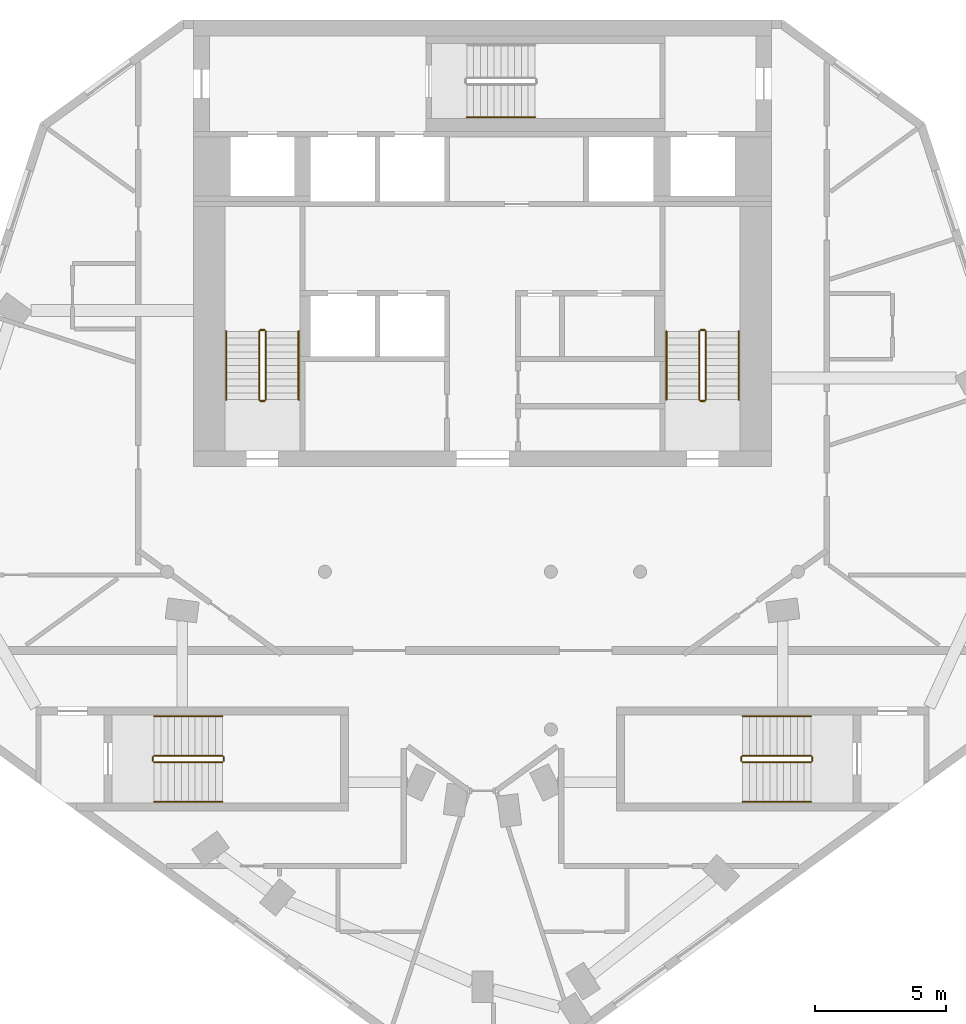
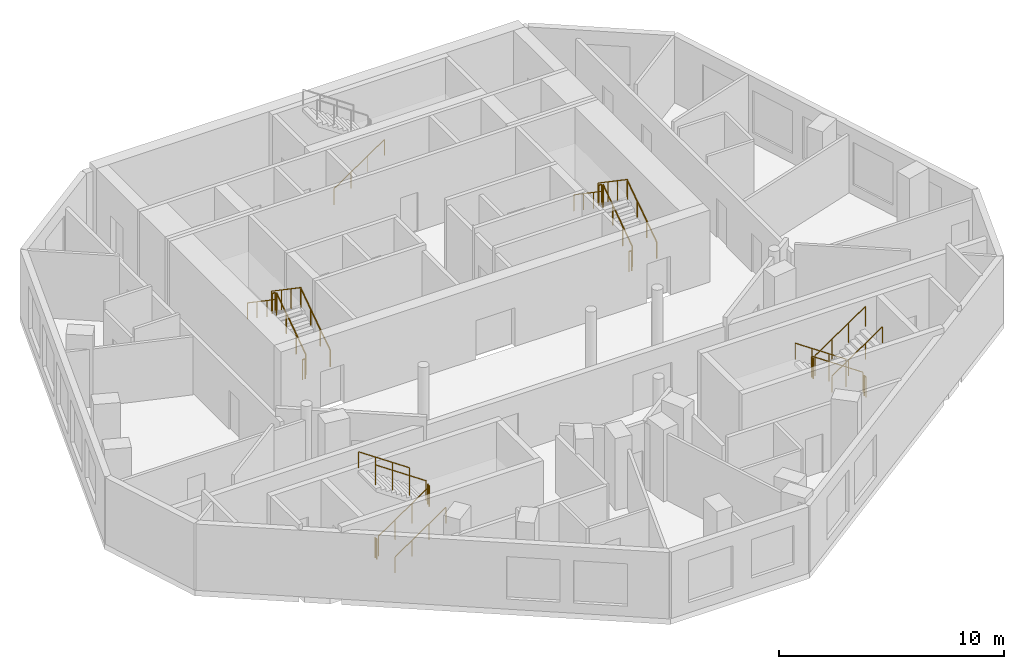
# One storey, part 7 of 8: 25 railings.
"""IFC4 building model written with IfcOpenShell, lengths in metres."""

from ifc_helpers import new_model, si_unit, direction, frame, origin, origin_2d, place, context, subcontext, project, spatial, circle, extrude, material, type_object, element, save


model = new_model("IFC4")

# Units and contexts
model_context = context("Model", 3, precision=1e-05, world=origin(), true_north=direction((0.0, 1.0)))
body_context = subcontext(model_context, "Body", "Model", "MODEL_VIEW")
ifc_project = project(units=[si_unit("LENGTHUNIT", "METRE"), si_unit("AREAUNIT", "SQUARE_METRE"), si_unit("VOLUMEUNIT", "CUBIC_METRE"), si_unit("PLANEANGLEUNIT", "RADIAN"), si_unit("MASSUNIT", "GRAM", prefix="KILO")], contexts=[model_context])

# Site, building, storey
site_placement = place(None, origin())
site = spatial("IfcSite", under=ifc_project, at=site_placement, CompositionType="ELEMENT")
building_placement = place(site_placement, origin())
building = spatial("IfcBuilding", under=site, at=building_placement, Name="White Candle Pilgrim Tower", CompositionType="ELEMENT")
storey_placement = place(building_placement, frame((0.0, 0.0, 310.0)))
storey = spatial("IfcBuildingStorey", under=building, at=storey_placement, Name="L73", CompositionType="ELEMENT", Elevation=310.0)

# Railings
ifc_material = material(Name="Stainless steel", Category="steel")
railing_type_1 = type_object("IfcRailingType", Name="Stair guard stainless steel 1100 mm", PredefinedType="GUARDRAIL", material=ifc_material)
railing_1_placement = place(storey_placement, frame((61.75, 73.550048828125, 0.17724609375)))
element("IfcRailing", 1, at=railing_1_placement, inside=storey, type_object=railing_type_1, Name="L73 ST1 stair guard 1", PredefinedType="GUARDRAIL", context=body_context, shape_type="SweptSolid", body=[
    extrude(circle(Radius=0.02392578125, at=origin_2d()), frame((0.0, 0.0, 1.076171875), z_axis=(0.0, 0.826215852431, 0.563353676824), x_axis=(-1.0, 0.0, 0.0)), (0.0, 0.0, 1.0), 3.146728515625),
    extrude(circle(Radius=0.02099609375, at=origin_2d()), origin(), (0.0, 0.0, 1.0), 1.052001953125),
    extrude(circle(Radius=0.02099609375, at=origin_2d()), frame((0.0, 0.86669921875, 0.5908203125)), (0.0, 0.0, 1.0), 1.052001953125),
    extrude(circle(Radius=0.02099609375, at=origin_2d()), frame((0.0, 1.733154296875, 1.181884765625)), (0.0, 0.0, 1.0), 1.052001953125),
    extrude(circle(Radius=0.02099609375, at=origin_2d()), frame((0.0, 2.599853515625, 1.772705078125)), (0.0, 0.0, 1.0), 1.052001953125),
])
railing_2_placement = place(storey_placement, frame((61.699951171875, 76.199951171875, 1.949951171875)))
element("IfcRailing", 2, at=railing_2_placement, inside=storey, type_object=railing_type_1, Name="L73 ST1 stair guard 2", PredefinedType="GUARDRAIL", context=body_context, shape_type="SweptSolid", body=[
    extrude(circle(Radius=0.02392578125, at=origin_2d()), frame((0.0, 0.0, 1.076171875), z_axis=(-1.0, 0.0, 0.0), x_axis=(0.0, -1.0, 0.0)), (0.0, 0.0, 1.0), 0.14990234375),
    extrude(circle(Radius=0.02099609375, at=origin_2d()), origin(), (0.0, 0.0, 1.0), 1.052001953125),
    extrude(circle(Radius=0.02099609375, at=origin_2d()), frame((-0.14990234375, 0.0, 0.0)), (0.0, 0.0, 1.0), 1.052001953125),
])
railing_3_placement = place(storey_placement, frame((61.5, 76.14990234375, 2.127197265625)))
element("IfcRailing", 3, at=railing_3_placement, inside=storey, type_object=railing_type_1, Name="L73 ST1 stair guard 3", PredefinedType="GUARDRAIL", context=body_context, shape_type="SweptSolid", body=[
    extrude(circle(Radius=0.02392578125, at=origin_2d()), frame((0.0, 0.0, 1.076171875), z_axis=(0.0, -0.826215852431, 0.563353676824), x_axis=(1.0, 0.0, 0.0)), (0.0, 0.0, 1.0), 3.146728515625),
    extrude(circle(Radius=0.02099609375, at=origin_2d()), origin(), (0.0, 0.0, 1.0), 1.052001953125),
    extrude(circle(Radius=0.02099609375, at=origin_2d()), frame((0.0, -0.86669921875, 0.5908203125)), (0.0, 0.0, 1.0), 1.052001953125),
    extrude(circle(Radius=0.02099609375, at=origin_2d()), frame((0.0, -1.733154296875, 1.181884765625)), (0.0, 0.0, 1.0), 1.052001953125),
    extrude(circle(Radius=0.02099609375, at=origin_2d()), frame((0.0, -2.599853515625, 1.772705078125)), (0.0, 0.0, 1.0), 1.052001953125),
])
railing_4_placement = place(storey_placement, frame((61.699951171875, 73.5, 0.0)))
element("IfcRailing", 4, at=railing_4_placement, inside=storey, type_object=railing_type_1, Name="L73 ST1 stair guard 4", PredefinedType="GUARDRAIL", context=body_context, shape_type="SweptSolid", body=[
    extrude(circle(Radius=0.02392578125, at=origin_2d()), frame((0.0, 0.0, 1.076171875), z_axis=(-1.0, 0.0, 0.0), x_axis=(0.0, -1.0, 0.0)), (0.0, 0.0, 1.0), 0.14990234375),
    extrude(circle(Radius=0.02099609375, at=origin_2d()), origin(), (0.0, 0.0, 1.0), 1.052001953125),
    extrude(circle(Radius=0.02099609375, at=origin_2d()), frame((-0.14990234375, 0.0, 0.0)), (0.0, 0.0, 1.0), 1.052001953125),
])
railing_5_placement = place(storey_placement, frame((78.5, 73.550048828125, 0.17724609375)))
element("IfcRailing", 5, at=railing_5_placement, inside=storey, type_object=railing_type_1, Name="L73 ST2 stair guard 1", PredefinedType="GUARDRAIL", context=body_context, shape_type="SweptSolid", body=[
    extrude(circle(Radius=0.02392578125, at=origin_2d()), frame((0.0, 0.0, 1.076171875), z_axis=(0.0, 0.826215852431, 0.563353676824), x_axis=(-1.0, 0.0, 0.0)), (0.0, 0.0, 1.0), 3.146728515625),
    extrude(circle(Radius=0.02099609375, at=origin_2d()), origin(), (0.0, 0.0, 1.0), 1.052001953125),
    extrude(circle(Radius=0.02099609375, at=origin_2d()), frame((0.0, 0.86669921875, 0.5908203125)), (0.0, 0.0, 1.0), 1.052001953125),
    extrude(circle(Radius=0.02099609375, at=origin_2d()), frame((0.0, 1.733154296875, 1.181884765625)), (0.0, 0.0, 1.0), 1.052001953125),
    extrude(circle(Radius=0.02099609375, at=origin_2d()), frame((0.0, 2.599853515625, 1.772705078125)), (0.0, 0.0, 1.0), 1.052001953125),
])
railing_6_placement = place(storey_placement, frame((78.449951171875, 76.199951171875, 1.949951171875)))
element("IfcRailing", 6, at=railing_6_placement, inside=storey, type_object=railing_type_1, Name="L73 ST2 stair guard 2", PredefinedType="GUARDRAIL", context=body_context, shape_type="SweptSolid", body=[
    extrude(circle(Radius=0.02392578125, at=origin_2d()), frame((0.0, 0.0, 1.076171875), z_axis=(-1.0, 0.0, 0.0), x_axis=(0.0, -1.0, 0.0)), (0.0, 0.0, 1.0), 0.14990234375),
    extrude(circle(Radius=0.02099609375, at=origin_2d()), origin(), (0.0, 0.0, 1.0), 1.052001953125),
    extrude(circle(Radius=0.02099609375, at=origin_2d()), frame((-0.14990234375, 0.0, 0.0)), (0.0, 0.0, 1.0), 1.052001953125),
])
railing_7_placement = place(storey_placement, frame((78.25, 76.14990234375, 2.127197265625)))
element("IfcRailing", 7, at=railing_7_placement, inside=storey, type_object=railing_type_1, Name="L73 ST2 stair guard 3", PredefinedType="GUARDRAIL", context=body_context, shape_type="SweptSolid", body=[
    extrude(circle(Radius=0.02392578125, at=origin_2d()), frame((0.0, 0.0, 1.076171875), z_axis=(0.0, -0.826215852431, 0.563353676824), x_axis=(1.0, 0.0, 0.0)), (0.0, 0.0, 1.0), 3.146728515625),
    extrude(circle(Radius=0.02099609375, at=origin_2d()), origin(), (0.0, 0.0, 1.0), 1.052001953125),
    extrude(circle(Radius=0.02099609375, at=origin_2d()), frame((0.0, -0.86669921875, 0.5908203125)), (0.0, 0.0, 1.0), 1.052001953125),
    extrude(circle(Radius=0.02099609375, at=origin_2d()), frame((0.0, -1.733154296875, 1.181884765625)), (0.0, 0.0, 1.0), 1.052001953125),
    extrude(circle(Radius=0.02099609375, at=origin_2d()), frame((0.0, -2.599853515625, 1.772705078125)), (0.0, 0.0, 1.0), 1.052001953125),
])
railing_8_placement = place(storey_placement, frame((78.449951171875, 73.5, 0.0)))
element("IfcRailing", 8, at=railing_8_placement, inside=storey, type_object=railing_type_1, Name="L73 ST2 stair guard 4", PredefinedType="GUARDRAIL", context=body_context, shape_type="SweptSolid", body=[
    extrude(circle(Radius=0.02392578125, at=origin_2d()), frame((0.0, 0.0, 1.076171875), z_axis=(-1.0, 0.0, 0.0), x_axis=(0.0, -1.0, 0.0)), (0.0, 0.0, 1.0), 0.14990234375),
    extrude(circle(Radius=0.02099609375, at=origin_2d()), origin(), (0.0, 0.0, 1.0), 1.052001953125),
    extrude(circle(Radius=0.02099609375, at=origin_2d()), frame((-0.14990234375, 0.0, 0.0)), (0.0, 0.0, 1.0), 1.052001953125),
])
railing_9_placement = place(storey_placement, frame((82.5, 60.0, 0.17724609375)))
element("IfcRailing", 9, at=railing_9_placement, inside=storey, type_object=railing_type_1, Name="L73 ST4 stair guard 1", PredefinedType="GUARDRAIL", context=body_context, shape_type="SweptSolid", body=[
    extrude(circle(Radius=0.02392578125, at=origin_2d()), frame((0.0, 0.0, 1.076171875), z_axis=(-0.826240473404, 0.0, 0.563317565952), x_axis=(0.0, -1.0, 0.0)), (0.0, 0.0, 1.0), 3.14697265625),
    extrude(circle(Radius=0.02099609375, at=origin_2d()), origin(), (0.0, 0.0, 1.0), 1.052001953125),
    extrude(circle(Radius=0.02099609375, at=origin_2d()), frame((-0.86669921875, 0.0, 0.5908203125)), (0.0, 0.0, 1.0), 1.052001953125),
    extrude(circle(Radius=0.02099609375, at=origin_2d()), frame((-1.7333984375, 0.0, 1.181884765625)), (0.0, 0.0, 1.0), 1.052001953125),
    extrude(circle(Radius=0.02099609375, at=origin_2d()), frame((-2.60009765625, 0.0, 1.772705078125)), (0.0, 0.0, 1.0), 1.052001953125),
])
railing_10_placement = place(storey_placement, frame((79.85009765625, 59.949951171875, 1.949951171875)))
element("IfcRailing", 10, at=railing_10_placement, inside=storey, type_object=railing_type_1, Name="L73 ST4 stair guard 2", PredefinedType="GUARDRAIL", context=body_context, shape_type="SweptSolid", body=[
    extrude(circle(Radius=0.02392578125, at=origin_2d()), frame((0.0, 0.0, 1.076171875), z_axis=(0.0, -1.0, 0.0), x_axis=(1.0, 0.0, 0.0)), (0.0, 0.0, 1.0), 0.14990234375),
    extrude(circle(Radius=0.02099609375, at=origin_2d()), origin(), (0.0, 0.0, 1.0), 1.052001953125),
    extrude(circle(Radius=0.02099609375, at=origin_2d()), frame((0.0, -0.14990234375, 0.0)), (0.0, 0.0, 1.0), 1.052001953125),
])
railing_11_placement = place(storey_placement, frame((79.89990234375, 59.75, 2.127197265625)))
element("IfcRailing", 11, at=railing_11_placement, inside=storey, type_object=railing_type_1, Name="L73 ST4 stair guard 3", PredefinedType="GUARDRAIL", context=body_context, shape_type="SweptSolid", body=[
    extrude(circle(Radius=0.02392578125, at=origin_2d()), frame((0.0, 0.0, 1.076171875), z_axis=(0.826240473404, 0.0, 0.563317565952), x_axis=(0.0, 1.0, 0.0)), (0.0, 0.0, 1.0), 3.14697265625),
    extrude(circle(Radius=0.02099609375, at=origin_2d()), origin(), (0.0, 0.0, 1.0), 1.052001953125),
    extrude(circle(Radius=0.02099609375, at=origin_2d()), frame((0.86669921875, 0.0, 0.5908203125)), (0.0, 0.0, 1.0), 1.052001953125),
    extrude(circle(Radius=0.02099609375, at=origin_2d()), frame((1.7333984375, 0.0, 1.181884765625)), (0.0, 0.0, 1.0), 1.052001953125),
    extrude(circle(Radius=0.02099609375, at=origin_2d()), frame((2.60009765625, 0.0, 1.772705078125)), (0.0, 0.0, 1.0), 1.052001953125),
])
railing_12_placement = place(storey_placement, frame((82.550048828125, 59.949951171875, 0.0)))
element("IfcRailing", 12, at=railing_12_placement, inside=storey, type_object=railing_type_1, Name="L73 ST4 stair guard 4", PredefinedType="GUARDRAIL", context=body_context, shape_type="SweptSolid", body=[
    extrude(circle(Radius=0.02392578125, at=origin_2d()), frame((0.0, 0.0, 1.076171875), z_axis=(0.0, -1.0, 0.0), x_axis=(1.0, 0.0, 0.0)), (0.0, 0.0, 1.0), 0.14990234375),
    extrude(circle(Radius=0.02099609375, at=origin_2d()), origin(), (0.0, 0.0, 1.0), 1.052001953125),
    extrude(circle(Radius=0.02099609375, at=origin_2d()), frame((0.0, -0.14990234375, 0.0)), (0.0, 0.0, 1.0), 1.052001953125),
])
railing_13_placement = place(storey_placement, frame((57.5, 59.75, 0.17724609375)))
element("IfcRailing", 13, at=railing_13_placement, inside=storey, type_object=railing_type_1, Name="L73 ST5 stair guard 1", PredefinedType="GUARDRAIL", context=body_context, shape_type="SweptSolid", body=[
    extrude(circle(Radius=0.02392578125, at=origin_2d()), frame((0.0, 0.0, 1.076171875), z_axis=(0.826240473404, 0.0, 0.563317565952), x_axis=(0.0, 1.0, 0.0)), (0.0, 0.0, 1.0), 3.14697265625),
    extrude(circle(Radius=0.02099609375, at=origin_2d()), origin(), (0.0, 0.0, 1.0), 1.052001953125),
    extrude(circle(Radius=0.02099609375, at=origin_2d()), frame((0.86669921875, 0.0, 0.5908203125)), (0.0, 0.0, 1.0), 1.052001953125),
    extrude(circle(Radius=0.02099609375, at=origin_2d()), frame((1.7333984375, 0.0, 1.181884765625)), (0.0, 0.0, 1.0), 1.052001953125),
    extrude(circle(Radius=0.02099609375, at=origin_2d()), frame((2.60009765625, 0.0, 1.772705078125)), (0.0, 0.0, 1.0), 1.052001953125),
])
railing_14_placement = place(storey_placement, frame((60.14990234375, 59.800048828125, 1.949951171875)))
element("IfcRailing", 14, at=railing_14_placement, inside=storey, type_object=railing_type_1, Name="L73 ST5 stair guard 2", PredefinedType="GUARDRAIL", context=body_context, shape_type="SweptSolid", body=[
    extrude(circle(Radius=0.02392578125, at=origin_2d()), frame((0.0, 0.0, 1.076171875), z_axis=(0.0, 1.0, 0.0), x_axis=(-1.0, 0.0, 0.0)), (0.0, 0.0, 1.0), 0.14990234375),
    extrude(circle(Radius=0.02099609375, at=origin_2d()), origin(), (0.0, 0.0, 1.0), 1.052001953125),
    extrude(circle(Radius=0.02099609375, at=origin_2d()), frame((0.0, 0.14990234375, 0.0)), (0.0, 0.0, 1.0), 1.052001953125),
])
railing_15_placement = place(storey_placement, frame((60.10009765625, 60.0, 2.127197265625)))
element("IfcRailing", 15, at=railing_15_placement, inside=storey, type_object=railing_type_1, Name="L73 ST5 stair guard 3", PredefinedType="GUARDRAIL", context=body_context, shape_type="SweptSolid", body=[
    extrude(circle(Radius=0.02392578125, at=origin_2d()), frame((0.0, 0.0, 1.076171875), z_axis=(-0.826240473404, 0.0, 0.563317565952), x_axis=(0.0, -1.0, 0.0)), (0.0, 0.0, 1.0), 3.14697265625),
    extrude(circle(Radius=0.02099609375, at=origin_2d()), origin(), (0.0, 0.0, 1.0), 1.052001953125),
    extrude(circle(Radius=0.02099609375, at=origin_2d()), frame((-0.86669921875, 0.0, 0.5908203125)), (0.0, 0.0, 1.0), 1.052001953125),
    extrude(circle(Radius=0.02099609375, at=origin_2d()), frame((-1.7333984375, 0.0, 1.181884765625)), (0.0, 0.0, 1.0), 1.052001953125),
    extrude(circle(Radius=0.02099609375, at=origin_2d()), frame((-2.60009765625, 0.0, 1.772705078125)), (0.0, 0.0, 1.0), 1.052001953125),
])
railing_16_placement = place(storey_placement, frame((57.449951171875, 59.800048828125, 0.0)))
element("IfcRailing", 16, at=railing_16_placement, inside=storey, type_object=railing_type_1, Name="L73 ST5 stair guard 4", PredefinedType="GUARDRAIL", context=body_context, shape_type="SweptSolid", body=[
    extrude(circle(Radius=0.02392578125, at=origin_2d()), frame((0.0, 0.0, 1.076171875), z_axis=(0.0, 1.0, 0.0), x_axis=(-1.0, 0.0, 0.0)), (0.0, 0.0, 1.0), 0.14990234375),
    extrude(circle(Radius=0.02099609375, at=origin_2d()), origin(), (0.0, 0.0, 1.0), 1.052001953125),
    extrude(circle(Radius=0.02099609375, at=origin_2d()), frame((0.0, 0.14990234375, 0.0)), (0.0, 0.0, 1.0), 1.052001953125),
])
railing_type_2 = type_object("IfcRailingType", Name="Stair handrail stainless steel", PredefinedType="HANDRAIL", material=ifc_material)
railing_17_placement = place(storey_placement, frame((63.0, 73.550048828125, 0.17724609375)))
element("IfcRailing", 17, at=railing_17_placement, inside=storey, type_object=railing_type_2, Name="L73 ST1 stair handrail 1", PredefinedType="HANDRAIL", context=body_context, shape_type="SweptSolid", body=[
    extrude(circle(Radius=0.02392578125, at=origin_2d()), frame((0.0, 0.0, 0.8759765625), z_axis=(0.0, 0.826215852431, 0.563353676824), x_axis=(-1.0, 0.0, 0.0)), (0.0, 0.0, 1.0), 3.146728515625),
    extrude(circle(Radius=0.02099609375, at=origin_2d()), origin(), (0.0, 0.0, 1.0), 0.851806640625),
    extrude(circle(Radius=0.02099609375, at=origin_2d()), frame((0.0, 0.86669921875, 0.5908203125)), (0.0, 0.0, 1.0), 0.851806640625),
    extrude(circle(Radius=0.02099609375, at=origin_2d()), frame((0.0, 1.733154296875, 1.181884765625)), (0.0, 0.0, 1.0), 0.851806640625),
    extrude(circle(Radius=0.02099609375, at=origin_2d()), frame((0.0, 2.599853515625, 1.772705078125)), (0.0, 0.0, 1.0), 0.851806640625),
])
railing_18_placement = place(storey_placement, frame((60.25, 76.14990234375, 2.127197265625)))
element("IfcRailing", 18, at=railing_18_placement, inside=storey, type_object=railing_type_2, Name="L73 ST1 stair handrail 2", PredefinedType="HANDRAIL", context=body_context, shape_type="SweptSolid", body=[
    extrude(circle(Radius=0.02392578125, at=origin_2d()), frame((0.0, 0.0, 0.8759765625), z_axis=(0.0, -0.826215852431, 0.563353676824), x_axis=(1.0, 0.0, 0.0)), (0.0, 0.0, 1.0), 3.146728515625),
    extrude(circle(Radius=0.02099609375, at=origin_2d()), origin(), (0.0, 0.0, 1.0), 0.851806640625),
    extrude(circle(Radius=0.02099609375, at=origin_2d()), frame((0.0, -0.86669921875, 0.5908203125)), (0.0, 0.0, 1.0), 0.851806640625),
    extrude(circle(Radius=0.02099609375, at=origin_2d()), frame((0.0, -1.733154296875, 1.181884765625)), (0.0, 0.0, 1.0), 0.851806640625),
    extrude(circle(Radius=0.02099609375, at=origin_2d()), frame((0.0, -2.599853515625, 1.772705078125)), (0.0, 0.0, 1.0), 0.851806640625),
])
railing_19_placement = place(storey_placement, frame((79.75, 73.550048828125, 0.17724609375)))
element("IfcRailing", 19, at=railing_19_placement, inside=storey, type_object=railing_type_2, Name="L73 ST2 stair handrail 1", PredefinedType="HANDRAIL", context=body_context, shape_type="SweptSolid", body=[
    extrude(circle(Radius=0.02392578125, at=origin_2d()), frame((0.0, 0.0, 0.8759765625), z_axis=(0.0, 0.826215852431, 0.563353676824), x_axis=(-1.0, 0.0, 0.0)), (0.0, 0.0, 1.0), 3.146728515625),
    extrude(circle(Radius=0.02099609375, at=origin_2d()), origin(), (0.0, 0.0, 1.0), 0.851806640625),
    extrude(circle(Radius=0.02099609375, at=origin_2d()), frame((0.0, 0.86669921875, 0.5908203125)), (0.0, 0.0, 1.0), 0.851806640625),
    extrude(circle(Radius=0.02099609375, at=origin_2d()), frame((0.0, 1.733154296875, 1.181884765625)), (0.0, 0.0, 1.0), 0.851806640625),
    extrude(circle(Radius=0.02099609375, at=origin_2d()), frame((0.0, 2.599853515625, 1.772705078125)), (0.0, 0.0, 1.0), 0.851806640625),
])
railing_20_placement = place(storey_placement, frame((77.0, 76.14990234375, 2.127197265625)))
element("IfcRailing", 20, at=railing_20_placement, inside=storey, type_object=railing_type_2, Name="L73 ST2 stair handrail 2", PredefinedType="HANDRAIL", context=body_context, shape_type="SweptSolid", body=[
    extrude(circle(Radius=0.02392578125, at=origin_2d()), frame((0.0, 0.0, 0.8759765625), z_axis=(0.0, -0.826215852431, 0.563353676824), x_axis=(1.0, 0.0, 0.0)), (0.0, 0.0, 1.0), 3.146728515625),
    extrude(circle(Radius=0.02099609375, at=origin_2d()), origin(), (0.0, 0.0, 1.0), 0.851806640625),
    extrude(circle(Radius=0.02099609375, at=origin_2d()), frame((0.0, -0.86669921875, 0.5908203125)), (0.0, 0.0, 1.0), 0.851806640625),
    extrude(circle(Radius=0.02099609375, at=origin_2d()), frame((0.0, -1.733154296875, 1.181884765625)), (0.0, 0.0, 1.0), 0.851806640625),
    extrude(circle(Radius=0.02099609375, at=origin_2d()), frame((0.0, -2.599853515625, 1.772705078125)), (0.0, 0.0, 1.0), 0.851806640625),
])
railing_21_placement = place(storey_placement, frame((69.39990234375, 84.300048828125, 0.17724609375)))
element("IfcRailing", 21, at=railing_21_placement, inside=storey, type_object=railing_type_2, Name="L73 ST3 stair handrail 1", PredefinedType="HANDRAIL", context=body_context, shape_type="SweptSolid", body=[
    extrude(circle(Radius=0.02392578125, at=origin_2d()), frame((0.0, 0.0, 0.8759765625), z_axis=(0.826240473404, 0.0, 0.563317565952), x_axis=(0.0, 1.0, 0.0)), (0.0, 0.0, 1.0), 3.14697265625),
    extrude(circle(Radius=0.02099609375, at=origin_2d()), origin(), (0.0, 0.0, 1.0), 0.851806640625),
    extrude(circle(Radius=0.02099609375, at=origin_2d()), frame((0.86669921875, 0.0, 0.5908203125)), (0.0, 0.0, 1.0), 0.851806640625),
    extrude(circle(Radius=0.02099609375, at=origin_2d()), frame((1.7333984375, 0.0, 1.181884765625)), (0.0, 0.0, 1.0), 0.851806640625),
    extrude(circle(Radius=0.02099609375, at=origin_2d()), frame((2.60009765625, 0.0, 1.772705078125)), (0.0, 0.0, 1.0), 0.851806640625),
])
railing_22_placement = place(storey_placement, frame((82.5, 61.5, 0.17724609375)))
element("IfcRailing", 22, at=railing_22_placement, inside=storey, type_object=railing_type_2, Name="L73 ST4 stair handrail 1", PredefinedType="HANDRAIL", context=body_context, shape_type="SweptSolid", body=[
    extrude(circle(Radius=0.02392578125, at=origin_2d()), frame((0.0, 0.0, 0.8759765625), z_axis=(-0.826240473404, 0.0, 0.563317565952), x_axis=(0.0, -1.0, 0.0)), (0.0, 0.0, 1.0), 3.14697265625),
    extrude(circle(Radius=0.02099609375, at=origin_2d()), origin(), (0.0, 0.0, 1.0), 0.851806640625),
    extrude(circle(Radius=0.02099609375, at=origin_2d()), frame((-0.86669921875, 0.0, 0.5908203125)), (0.0, 0.0, 1.0), 0.851806640625),
    extrude(circle(Radius=0.02099609375, at=origin_2d()), frame((-1.7333984375, 0.0, 1.181884765625)), (0.0, 0.0, 1.0), 0.851806640625),
    extrude(circle(Radius=0.02099609375, at=origin_2d()), frame((-2.60009765625, 0.0, 1.772705078125)), (0.0, 0.0, 1.0), 0.851806640625),
])
for number, where, name in (
    (23, (79.89990234375, 58.25, 2.127197265625), "L73 ST4 stair handrail 2"),
    (24, (57.5, 58.25, 0.17724609375), "L73 ST5 stair handrail 1"),
):
    element("IfcRailing", number, at=place(storey_placement, frame(where)), inside=storey, type_object=railing_type_2, Name=name, PredefinedType="HANDRAIL", context=body_context, shape_type="SweptSolid", body=[
        extrude(circle(Radius=0.02392578125, at=origin_2d()), frame((0.0, 0.0, 0.8759765625), z_axis=(0.826240473404, 0.0, 0.563317565952), x_axis=(0.0, 1.0, 0.0)), (0.0, 0.0, 1.0), 3.14697265625),
        extrude(circle(Radius=0.02099609375, at=origin_2d()), origin(), (0.0, 0.0, 1.0), 0.851806640625),
        extrude(circle(Radius=0.02099609375, at=origin_2d()), frame((0.86669921875, 0.0, 0.5908203125)), (0.0, 0.0, 1.0), 0.851806640625),
        extrude(circle(Radius=0.02099609375, at=origin_2d()), frame((1.7333984375, 0.0, 1.181884765625)), (0.0, 0.0, 1.0), 0.851806640625),
        extrude(circle(Radius=0.02099609375, at=origin_2d()), frame((2.60009765625, 0.0, 1.772705078125)), (0.0, 0.0, 1.0), 0.851806640625),
    ])
railing_23_placement = place(storey_placement, frame((60.10009765625, 61.5, 2.127197265625)))
element("IfcRailing", 25, at=railing_23_placement, inside=storey, type_object=railing_type_2, Name="L73 ST5 stair handrail 2", PredefinedType="HANDRAIL", context=body_context, shape_type="SweptSolid", body=[
    extrude(circle(Radius=0.02392578125, at=origin_2d()), frame((0.0, 0.0, 0.8759765625), z_axis=(-0.826240473404, 0.0, 0.563317565952), x_axis=(0.0, -1.0, 0.0)), (0.0, 0.0, 1.0), 3.14697265625),
    extrude(circle(Radius=0.02099609375, at=origin_2d()), origin(), (0.0, 0.0, 1.0), 0.851806640625),
    extrude(circle(Radius=0.02099609375, at=origin_2d()), frame((-0.86669921875, 0.0, 0.5908203125)), (0.0, 0.0, 1.0), 0.851806640625),
    extrude(circle(Radius=0.02099609375, at=origin_2d()), frame((-1.7333984375, 0.0, 1.181884765625)), (0.0, 0.0, 1.0), 0.851806640625),
    extrude(circle(Radius=0.02099609375, at=origin_2d()), frame((-2.60009765625, 0.0, 1.772705078125)), (0.0, 0.0, 1.0), 0.851806640625),
])

save(model, "model.ifc")
